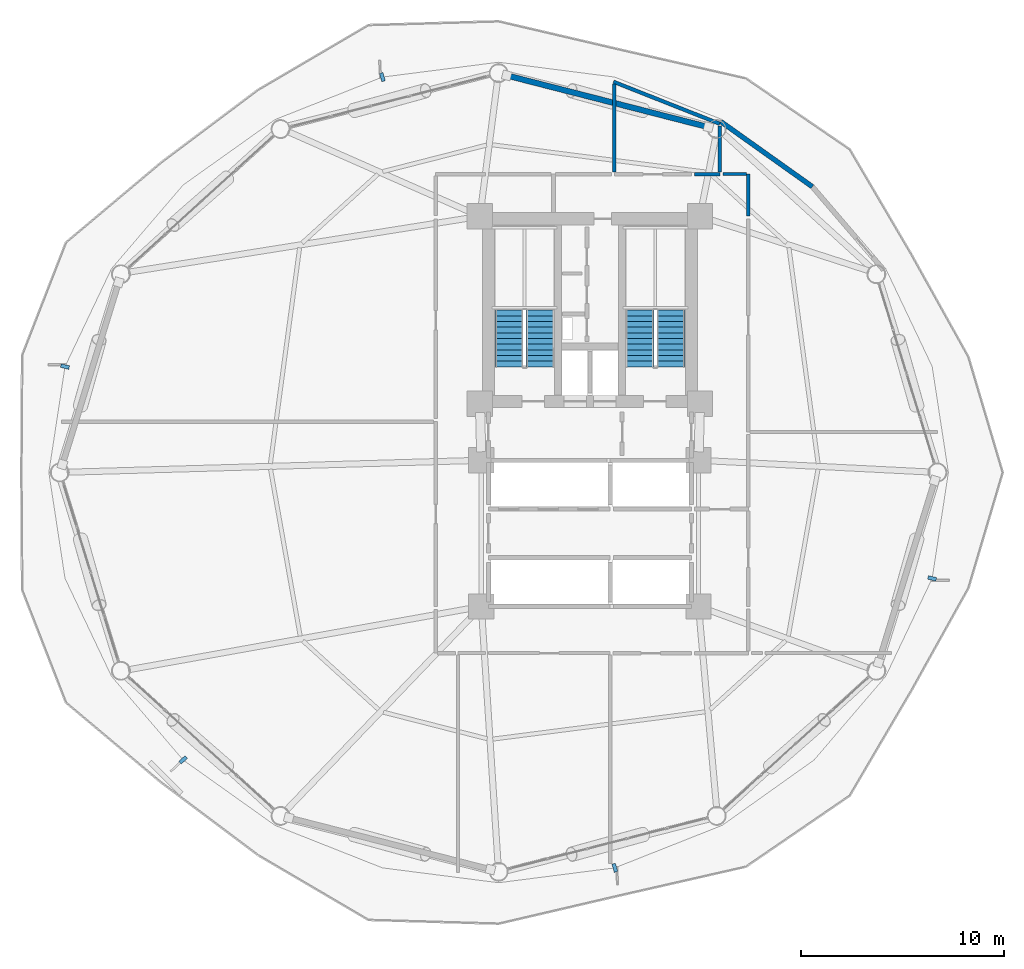
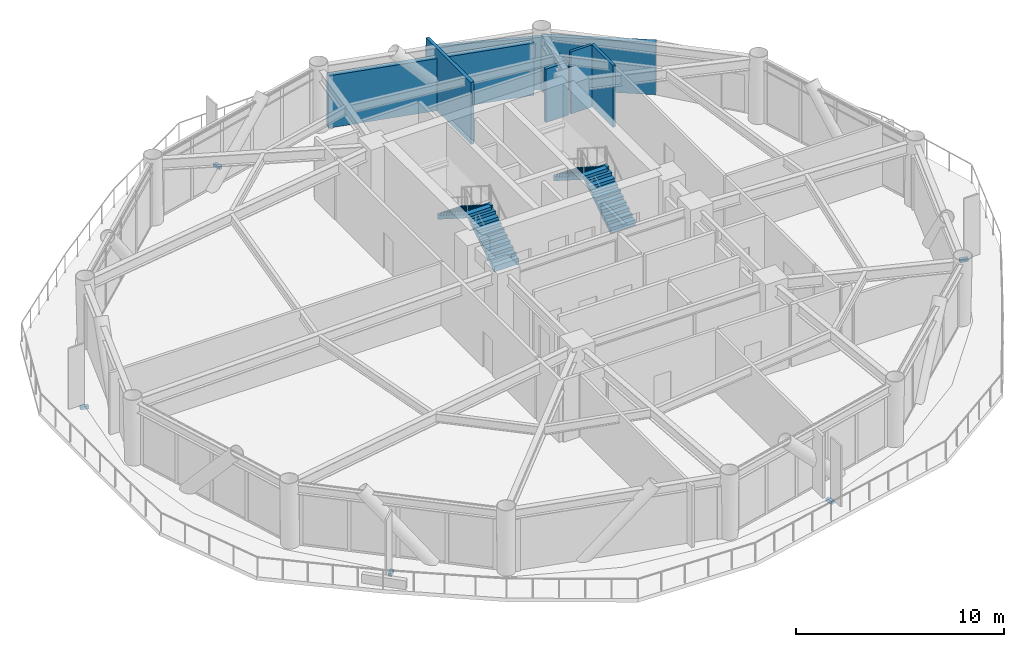
# One storey, part 19 of 22: 8 walls, 5 discrete accessories, 4 stair flights, 2 elements without a shape of their own.
"""IFC4 building model written with IfcOpenShell, lengths in metres."""

import ifcopenshell
import ifcopenshell.guid

model = None  # the IFC model being written
_history = None  # IfcOwnerHistory: only IFC2X3 demands one
_inside = {}  # id of a spatial element -> (the spatial element, [elements in it])
_under = {}  # id of a project, library or spatial element -> (it, [spatial elements below it])
_declared = {}  # id of a project -> (the project, [libraries it declares])
_typed = {}  # id of a type object -> (the type object, [elements of that type])
_made_of = {}  # id of a material, layer set ... -> (it, [elements and type objects made of it])


def new_model(schema):
    """Start an empty IFC model of exactly this schema.

    Asked for "IFC4X3", IfcOpenShell would pick the latest addendum, in which some entities
    have other attributes; the version numbers below select the first issue.
    IFC2X3 requires an IfcOwnerHistory on every rooted entity: one is made here for all.
    """
    global model, _history
    if schema == "IFC4X3":
        model = ifcopenshell.file(schema_version=(4, 3, 0, 0))
    else:
        model = ifcopenshell.file(schema=schema)
    _inside.clear()
    _under.clear()
    _declared.clear()
    _typed.clear()
    _made_of.clear()
    _history = None
    if model.schema == "IFC2X3":
        org = make("IfcOrganization", Name="unknown")
        user = make(
            "IfcPersonAndOrganization",
            ThePerson=make("IfcPerson", FamilyName="unknown"),
            TheOrganization=org,
        )
        app = make(
            "IfcApplication",
            ApplicationDeveloper=org,
            Version="unknown",
            ApplicationFullName="unknown",
            ApplicationIdentifier="unknown",
        )
        _history = make(
            "IfcOwnerHistory",
            OwningUser=user,
            OwningApplication=app,
            ChangeAction="ADDED",
            CreationDate=0,
        )
    return model


def make(cls, **values):
    """One entity of the class cls with the attributes given. An attribute that is None is left unset."""
    return model.create_entity(
        cls, **{name: value for name, value in values.items() if value is not None}
    )


def rooted(cls, **values):
    """An entity with a GlobalId (a new one), such as an element, a storey or a relation."""
    return make(cls, GlobalId=ifcopenshell.guid.new(), OwnerHistory=_history, **values)


def si_unit(unit_type, name, prefix=None):
    """IfcSIUnit, for example si_unit("LENGTHUNIT", "METRE", prefix="MILLI")."""
    return make("IfcSIUnit", UnitType=unit_type, Prefix=prefix, Name=name)


def assignment(units):
    """IfcUnitAssignment: the units of a project."""
    return None if units is None else make("IfcUnitAssignment", Units=units)


def point(xyz):
    """IfcCartesianPoint."""
    return None if xyz is None else make("IfcCartesianPoint", Coordinates=xyz)


def direction(xyz):
    """IfcDirection."""
    return None if xyz is None else make("IfcDirection", DirectionRatios=xyz)


def frame(location, z_axis=None, x_axis=None):
    """IfcAxis2Placement3D, a coordinate frame: its origin and axes. An axis left out is left unset."""
    return make(
        "IfcAxis2Placement3D",
        Location=point(location),
        Axis=direction(z_axis),
        RefDirection=direction(x_axis),
    )


def frame_2d(location, x_axis=None):
    """IfcAxis2Placement2D, a coordinate frame in the plane: its origin and x axis."""
    return make(
        "IfcAxis2Placement2D", Location=point(location), RefDirection=direction(x_axis)
    )


def origin():
    """The frame at (0, 0, 0) with its axes left unset."""
    return frame((0.0, 0.0, 0.0))


def origin_2d():
    """The frame at (0, 0) in the plane with its x axis left unset."""
    return frame_2d((0.0, 0.0))


def place(relative_to, where):
    """IfcLocalPlacement: puts the frame where relative to a parent placement (None: the world)."""
    return make(
        "IfcLocalPlacement", PlacementRelTo=relative_to, RelativePlacement=where
    )


def context(
    kind, dimensions, precision=None, world=None, true_north=None, identifier=None
):
    """IfcGeometricRepresentationContext, for example the 3D "Model" context."""
    return make(
        "IfcGeometricRepresentationContext",
        ContextIdentifier=identifier,
        ContextType=kind,
        CoordinateSpaceDimension=dimensions,
        Precision=precision,
        WorldCoordinateSystem=world,
        TrueNorth=true_north,
    )


def subcontext(parent, identifier, kind, view, scale=None):
    """IfcGeometricRepresentationSubContext, for example "Body" below "Model"."""
    return make(
        "IfcGeometricRepresentationSubContext",
        ContextIdentifier=identifier,
        ContextType=kind,
        ParentContext=parent,
        TargetScale=scale,
        TargetView=view,
    )


def project(units=None, contexts=None):
    """IfcProject with its units and contexts."""
    return rooted(
        "IfcProject",
        Name="project",
        RepresentationContexts=contexts,
        UnitsInContext=assignment(units),
    )


def spatial(cls, under=None, at=None, **own):
    """A site, building, storey or space (cls), placed at a placement, below another one or the project."""
    s = rooted(cls, ObjectPlacement=at, **own)
    if under is not None:
        _under.setdefault(under.id(), (under, []))[1].append(s)
    return s


def polyline(points):
    """IfcPolyline through the points."""
    return make("IfcPolyline", Points=[point(p) for p in points])


def profile(cls, at=None, kind="AREA", **sizes):
    """A parametric profile (cls). Its sizes go by their IFC names, for example OverallWidth=200.0."""
    return make(cls, ProfileType=kind, Position=at, **sizes)


def rectangle(**sizes):
    """IfcRectangleProfileDef."""
    return profile("IfcRectangleProfileDef", **sizes)


def outline(outer, holes=None, kind="AREA"):
    """IfcArbitraryClosedProfileDef: a profile drawn as a closed curve; with holes, ...WithVoids."""
    if holes is None:
        return make("IfcArbitraryClosedProfileDef", ProfileType=kind, OuterCurve=outer)
    return make(
        "IfcArbitraryProfileDefWithVoids",
        ProfileType=kind,
        OuterCurve=outer,
        InnerCurves=holes,
    )


def extrude(swept, where, along, depth):
    """IfcExtrudedAreaSolid: the profile swept, set in the frame where, extruded along a direction by depth."""
    return make(
        "IfcExtrudedAreaSolid",
        SweptArea=swept,
        Position=where,
        ExtrudedDirection=direction(along),
        Depth=depth,
    )


def shape(context_of_items, identifier, shape_type, items):
    """IfcShapeRepresentation: the items that make up one representation, for example the "Body"."""
    return make(
        "IfcShapeRepresentation",
        ContextOfItems=context_of_items,
        RepresentationIdentifier=identifier,
        RepresentationType=shape_type,
        Items=items,
    )


def source(mapping_origin, context_of_items, identifier, shape_type, items):
    """IfcRepresentationMap: a shape defined once, which mapped items show again and again."""
    return make(
        "IfcRepresentationMap",
        MappingOrigin=mapping_origin,
        MappedRepresentation=shape(context_of_items, identifier, shape_type, items),
    )


def transform(
    local_origin,
    x_axis=None,
    y_axis=None,
    z_axis=None,
    scale=None,
    scale2=None,
    scale3=None,
    uniform=True,
):
    """IfcCartesianTransformationOperator3D, or its non-uniform kind. x_axis, y_axis, z_axis: its Axis1, 2, 3."""
    if uniform:
        return make(
            "IfcCartesianTransformationOperator3D",
            Axis1=direction(x_axis),
            Axis2=direction(y_axis),
            LocalOrigin=point(local_origin),
            Scale=scale,
            Axis3=direction(z_axis),
        )
    return make(
        "IfcCartesianTransformationOperator3DnonUniform",
        Axis1=direction(x_axis),
        Axis2=direction(y_axis),
        LocalOrigin=point(local_origin),
        Scale=scale,
        Axis3=direction(z_axis),
        Scale2=scale2,
        Scale3=scale3,
    )


def mapped(mapping_source, mapping_target):
    """IfcMappedItem: shows the shape of a source again, moved by a transform."""
    return make(
        "IfcMappedItem", MappingSource=mapping_source, MappingTarget=mapping_target
    )


def material(Name=None, Category=None):
    """IfcMaterial."""
    return make("IfcMaterial", Name=Name, Category=Category)


def layer(
    of_material, thickness, ventilated=None, Name=None, Category=None, Priority=None
):
    """IfcMaterialLayer: one layer of a wall or slab, of a material (None: an air gap)."""
    return make(
        "IfcMaterialLayer",
        Material=of_material,
        LayerThickness=thickness,
        IsVentilated=ventilated,
        Name=Name,
        Category=Category,
        Priority=Priority,
    )


def layer_set(layers, Name=None):
    """IfcMaterialLayerSet."""
    return make("IfcMaterialLayerSet", MaterialLayers=layers, LayerSetName=Name)


def made_of(thing, what):
    """Note that an element or type object is made of a material, layer set ...; save() writes the relation."""
    if what is not None:
        _made_of.setdefault(what.id(), (what, []))[1].append(thing)
    return thing


def type_object(cls, material=None, **own):
    """A type object (cls), such as IfcWallType, which elements share."""
    return made_of(rooted(cls, **own), material)


def type_shapes(of_type, sources):
    """Give a type object the sources (RepresentationMaps) that its elements show as mapped items."""
    of_type.RepresentationMaps = sources


def element(
    cls,
    number,
    at=None,
    inside=None,
    cuts=None,
    type_object=None,
    material=None,
    context=None,
    identifier="Body",
    shape_type=None,
    held_by="IfcProductDefinitionShape",
    body=None,
    shapes=None,
    **own,
):
    """One element of the class cls, such as IfcWall. Its Tag is "e" and its number.

    at: its placement. inside: the storey or other place that contains it. cuts: it is an
    opening in that element (IfcRelVoidsElement). A single representation is given by context,
    identifier, shape_type and body (its items); several are given by shapes. held_by: the class
    of the entity that holds the representations. save() writes the other relations.
    """
    e = rooted(cls, Tag="e%d" % number, ObjectPlacement=at, **own)
    if body is not None:
        shapes = [shape(context, identifier, shape_type, body)]
    if shapes is not None:
        e.Representation = make(held_by, Representations=shapes)
    if inside is not None:
        _inside.setdefault(inside.id(), (inside, []))[1].append(e)
    if cuts is not None:
        rooted(
            "IfcRelVoidsElement", RelatingBuildingElement=cuts, RelatedOpeningElement=e
        )
    if type_object is not None:
        _typed.setdefault(type_object.id(), (type_object, []))[1].append(e)
    return made_of(e, material)


def aggregate(whole, parts):
    """IfcRelAggregates: a whole, such as a stair, and the parts it consists of."""
    return rooted("IfcRelAggregates", RelatingObject=whole, RelatedObjects=parts)


def save(model, path):
    """Write the relations noted so far, then the file.

    IfcRelAggregates (storeys below a building ...), IfcRelContainedInSpatialStructure (elements
    in a storey), IfcRelDefinesByType, IfcRelAssociatesMaterial and IfcRelDeclares: one each for
    every whole, place, type object, material and project.
    """
    for whole, parts in _under.values():
        aggregate(whole, parts)
    for where, things in _inside.values():
        rooted(
            "IfcRelContainedInSpatialStructure",
            RelatedElements=things,
            RelatingStructure=where,
        )
    for kind, things in _typed.values():
        rooted("IfcRelDefinesByType", RelatedObjects=things, RelatingType=kind)
    for what, things in _made_of.values():
        rooted("IfcRelAssociatesMaterial", RelatedObjects=things, RelatingMaterial=what)
    for by, libraries in _declared.values():
        rooted("IfcRelDeclares", RelatingContext=by, RelatedDefinitions=libraries)
    model.write(path)


model = new_model("IFC4")

# Units and contexts
model_context = context("Model", 3, precision=1e-05, world=origin(), true_north=direction((0.0, 1.0)))
body_context = subcontext(model_context, "Body", "Model", "MODEL_VIEW")
ifc_project = project(units=[si_unit("LENGTHUNIT", "METRE"), si_unit("AREAUNIT", "SQUARE_METRE"), si_unit("VOLUMEUNIT", "CUBIC_METRE"), si_unit("PLANEANGLEUNIT", "RADIAN"), si_unit("MASSUNIT", "GRAM", prefix="KILO")], contexts=[model_context])

# Site, building, storey
site_placement = place(None, origin())
site = spatial("IfcSite", under=ifc_project, at=site_placement, CompositionType="ELEMENT")
building_placement = place(site_placement, origin())
building = spatial("IfcBuilding", under=site, at=building_placement, Name="Varnakorn Sky Granary", CompositionType="ELEMENT")
storey_placement = place(building_placement, frame((0.0, 0.0, 66.60009765625)))
storey = spatial("IfcBuildingStorey", under=building, at=storey_placement, Name="L16", CompositionType="ELEMENT", Elevation=66.60009765625)

# Walls
ifc_material_1 = material(Name="Precast concrete C40/50", Category="concrete")
ifc_layer_1 = layer(ifc_material_1, 0.239990234375, Name="Precast concrete C40/50")
ifc_layer_set_1 = layer_set([ifc_layer_1], Name="Precast concrete C40/50")
wall_type_1 = type_object("IfcWallType", Name="WT-EW-BAL-260", PredefinedType="SOLIDWALL", material=ifc_layer_set_1)
wall_1_placement = place(storey_placement, frame((9.451904296875, 17.283203125, 0.0), z_axis=(0.0, 0.0, 1.0), x_axis=(0.814949298282, -0.579532260732, 0.0)))
element("IfcWall", 1, at=wall_1_placement, inside=storey, type_object=wall_type_1, Name="Balcony Return Facade Wall L16-B02B", PredefinedType="SOLIDWALL", context=body_context, shape_type="SweptSolid", body=[
    extrude(rectangle(XDim=5.527587890625, YDim=0.239990234375, at=frame_2d((2.763671875, 0.0))), origin(), (0.0, 0.0, 1.0), 3.059814453125),
])
ifc_layer_2 = layer(ifc_material_1, 0.280029296875, Name="Precast concrete C40/50")
ifc_layer_set_2 = layer_set([ifc_layer_2], Name="Precast concrete C40/50")
wall_type_2 = type_object("IfcWallType", Name="WT-EW-CRN-280", PredefinedType="SOLIDWALL", material=ifc_layer_set_2)
wall_2_placement = place(storey_placement, frame((-1.100830078125, 19.559814453125, 0.0), z_axis=(0.0, 0.0, 1.0), x_axis=(0.968705102733, -0.248214471655, 0.0)))
element("IfcWall", 2, at=wall_2_placement, inside=storey, type_object=wall_type_2, Name="Agritech Insulated Precast Facade Wall L16-P03", PredefinedType="SOLIDWALL", context=body_context, shape_type="SweptSolid", body=[
    extrude(rectangle(XDim=10.259765625, YDim=0.280029296875, at=frame_2d((5.1298828125, 0.0))), origin(), (0.0, 0.0, 1.0), 3.059814453125),
])
ifc_material_2 = material(Name="Gypsum Plasterboard on Steel Stud", Category="steel")
ifc_layer_3 = layer(ifc_material_2, 0.14990234375, Name="Gypsum Plasterboard on Steel Stud")
ifc_layer_set_3 = layer_set([ifc_layer_3], Name="Gypsum Plasterboard on Steel Stud")
wall_type_3 = type_object("IfcWallType", Name="WT-PART-150", PredefinedType="PARTITIONING", material=ifc_layer_set_3)
wall_3_placement = place(storey_placement, frame((10.800048828125, 12.635009765625, 0.0), z_axis=(0.0, 0.0, 1.0), x_axis=(0.0, 1.0, 0.0)))
element("IfcWall", 3, at=wall_3_placement, inside=storey, type_object=wall_type_3, Name="Interior Partition Wall L16-052", PredefinedType="PARTITIONING", context=body_context, shape_type="SweptSolid", body=[
    extrude(rectangle(XDim=2.06494140625, YDim=0.14990234375, at=frame_2d((1.032470703125, 0.0))), origin(), (0.0, 0.0, 1.0), 3.639892578125),
])
wall_4_placement = place(storey_placement, frame((10.715087890625, 14.699951171875, 0.0), z_axis=(0.0, 0.0, 1.0), x_axis=(-1.0, 0.0, 0.0)))
element("IfcWall", 4, at=wall_4_placement, inside=storey, type_object=wall_type_3, Name="Interior Partition Wall L16-053", PredefinedType="PARTITIONING", context=body_context, shape_type="SweptSolid", body=[
    extrude(rectangle(XDim=1.1650390625, YDim=0.14990234375, at=frame_2d((0.58251953125, 0.0))), origin(), (0.0, 0.0, 1.0), 3.639892578125),
])
ifc_material_3 = material(Name="Moisture-Resistant Gypsum on Stud", Category="gypsum")
ifc_layer_4 = layer(ifc_material_3, 0.179931640625, Name="Moisture-Resistant Gypsum on Stud")
ifc_layer_set_4 = layer_set([ifc_layer_4], Name="Moisture-Resistant Gypsum on Stud")
wall_type_4 = type_object("IfcWallType", Name="WT-PLUMB-180", PredefinedType="PLUMBINGWALL", material=ifc_layer_set_4)
wall_5_placement = place(storey_placement, frame((9.39990234375, 14.699951171875, 0.0), z_axis=(0.0, 0.0, 1.0), x_axis=(-1.0, 0.0, 0.0)))
element("IfcWall", 5, at=wall_5_placement, inside=storey, type_object=wall_type_4, Name="Interior Partition Wall L16-033", PredefinedType="PLUMBINGWALL", context=body_context, shape_type="SweptSolid", body=[
    extrude(rectangle(XDim=1.25, YDim=0.179931640625, at=frame_2d((0.625, 0.0))), origin(), (0.0, 0.0, 1.0), 3.121826171875),
])
wall_6_placement = place(storey_placement, frame((4.160888671875, 19.248046875, 0.0), z_axis=(0.0, 0.0, 1.0), x_axis=(0.929903425882, -0.367803777213, 0.0)))
element("IfcWall", 6, at=wall_6_placement, inside=storey, type_object=wall_type_4, Name="Interior Partition Wall L16-047", PredefinedType="PLUMBINGWALL", context=body_context, shape_type="SweptSolid", body=[
    extrude(rectangle(XDim=5.62548828125, YDim=0.179931640625, at=frame_2d((2.812744140625, 0.0))), origin(), (0.0, 0.0, 1.0), 3.072021484375),
])
wall_7_placement = place(storey_placement, frame((4.199951171875, 19.133056640625, 0.0), z_axis=(0.0, 0.0, 1.0), x_axis=(0.0, -1.0, 0.0)))
element("IfcWall", 7, at=wall_7_placement, inside=storey, type_object=wall_type_4, Name="Interior Partition Wall L16-048", PredefinedType="PLUMBINGWALL", context=body_context, shape_type="SweptSolid", body=[
    extrude(rectangle(XDim=4.3330078125, YDim=0.179931640625, at=frame_2d((2.16650390625, 0.0))), origin(), (0.0, 0.0, 1.0), 3.639892578125),
])
wall_8_placement = place(storey_placement, frame((9.39990234375, 14.800048828125, 0.0), z_axis=(0.0, 0.0, 1.0), x_axis=(0.0, 1.0, 0.0)))
element("IfcWall", 8, at=wall_8_placement, inside=storey, type_object=wall_type_4, Name="Interior Partition Wall L16-054", PredefinedType="PLUMBINGWALL", context=body_context, shape_type="SweptSolid", body=[
    extrude(rectangle(XDim=2.27392578125, YDim=0.179931640625, at=frame_2d((1.136962890625, 0.0))), origin(), (0.0, 0.0, 1.0), 2.971923828125),
])

# Stair, stair flights
ifc_material_4 = material(Name="Concrete C40/50", Category="concrete")
stair_type = type_object("IfcStairType", Name="ST-MAIN-ASSEMBLY", PredefinedType="HALF_TURN_STAIR", material=ifc_material_4)
stair_1_placement = place(storey_placement, origin())
stair_1 = element("IfcStair", 9, at=stair_1_placement, inside=storey, type_object=stair_type, Name="L16 Protected Exit Stair ST-1", PredefinedType="HALF_TURN_STAIR")
stair_flight_type = type_object("IfcStairFlightType", Name="ST-MAIN-FLIGHT", PredefinedType="STRAIGHT", material=ifc_material_4)
stair_flight_1_placement = place(storey_placement, frame((0.550048828125, 5.199951171875, 0.0), z_axis=(0.0, 0.0, 1.0), x_axis=(0.0, 1.0, 0.0)))
stair_flight_1 = element("IfcStairFlight", 10, at=stair_flight_1_placement, type_object=stair_flight_type, Name="ST-1 flight 1", NumberOfRisers=11, NumberOfTreads=10, PredefinedType="STRAIGHT", RiserHeight=0.177272727, TreadLength=0.28, context=body_context, shape_type="SweptSolid", body=[
    extrude(outline(polyline([(0.0, -0.14990234375), (0.0, 0.0), (0.0, 0.17724609375), (0.280029296875, 0.17724609375), (0.280029296875, 0.3544921875), (0.56005859375, 0.3544921875), (0.56005859375, 0.53173828125), (0.840087890625, 0.53173828125), (0.840087890625, 0.708984375), (1.1201171875, 0.708984375), (1.1201171875, 0.886474609375), (1.39990234375, 0.886474609375), (1.39990234375, 1.063720703125), (1.679931640625, 1.063720703125), (1.679931640625, 1.240966796875), (1.9599609375, 1.240966796875), (1.9599609375, 1.418212890625), (2.239990234375, 1.418212890625), (2.239990234375, 1.595458984375), (2.52001953125, 1.595458984375), (2.52001953125, 1.772705078125), (2.800048828125, 1.772705078125), (2.800048828125, 1.949951171875), (2.800048828125, 1.59521484375), (0.050048828125, -0.14990234375), (0.0, -0.14990234375)])), frame((0.0, 0.68994140625, 0.0), z_axis=(0.0, -1.0, 0.0), x_axis=(1.0, 0.0, 0.0)), (0.0, 0.0, 1.0), 1.3798828125),
])
stair_flight_2_placement = place(storey_placement, frame((-0.97998046875, 8.0, 1.949951171875), z_axis=(0.0, 0.0, 1.0), x_axis=(0.0, -1.0, 0.0)))
stair_flight_2 = element("IfcStairFlight", 11, at=stair_flight_2_placement, type_object=stair_flight_type, Name="ST-1 flight 2", NumberOfRisers=11, NumberOfTreads=10, PredefinedType="STRAIGHT", RiserHeight=0.177272727, TreadLength=0.28, context=body_context, shape_type="SweptSolid", body=[
    extrude(outline(polyline([(0.0, -0.14990234375), (0.0, 0.0), (0.0, 0.17724609375), (0.280029296875, 0.17724609375), (0.280029296875, 0.3544921875), (0.56005859375, 0.3544921875), (0.56005859375, 0.53173828125), (0.840087890625, 0.53173828125), (0.840087890625, 0.708984375), (1.1201171875, 0.708984375), (1.1201171875, 0.886474609375), (1.39990234375, 0.886474609375), (1.39990234375, 1.063720703125), (1.679931640625, 1.063720703125), (1.679931640625, 1.240966796875), (1.9599609375, 1.240966796875), (1.9599609375, 1.418212890625), (2.239990234375, 1.418212890625), (2.239990234375, 1.595458984375), (2.52001953125, 1.595458984375), (2.52001953125, 1.772705078125), (2.800048828125, 1.772705078125), (2.800048828125, 1.949951171875), (2.800048828125, 1.59521484375), (0.050048828125, -0.14990234375), (0.0, -0.14990234375)])), frame((0.0, 0.68994140625, 0.0), z_axis=(0.0, -1.0, 0.0), x_axis=(1.0, 0.0, 0.0)), (0.0, 0.0, 1.0), 1.3798828125),
])
aggregate(stair_1, [stair_flight_1, stair_flight_2])

stair_2_placement = place(storey_placement, origin())
stair_2 = element("IfcStair", 12, at=stair_2_placement, inside=storey, type_object=stair_type, Name="L16 Protected Exit Stair ST-2", PredefinedType="HALF_TURN_STAIR")
stair_flight_3_placement = place(storey_placement, frame((6.989990234375, 5.199951171875, 0.0), z_axis=(0.0, 0.0, 1.0), x_axis=(0.0, 1.0, 0.0)))
stair_flight_3 = element("IfcStairFlight", 13, at=stair_flight_3_placement, type_object=stair_flight_type, Name="ST-2 flight 1", NumberOfRisers=11, NumberOfTreads=10, PredefinedType="STRAIGHT", RiserHeight=0.177272727, TreadLength=0.28, context=body_context, shape_type="SweptSolid", body=[
    extrude(outline(polyline([(0.0, -0.14990234375), (0.0, 0.0), (0.0, 0.17724609375), (0.280029296875, 0.17724609375), (0.280029296875, 0.3544921875), (0.56005859375, 0.3544921875), (0.56005859375, 0.53173828125), (0.840087890625, 0.53173828125), (0.840087890625, 0.708984375), (1.1201171875, 0.708984375), (1.1201171875, 0.886474609375), (1.39990234375, 0.886474609375), (1.39990234375, 1.063720703125), (1.679931640625, 1.063720703125), (1.679931640625, 1.240966796875), (1.9599609375, 1.240966796875), (1.9599609375, 1.418212890625), (2.239990234375, 1.418212890625), (2.239990234375, 1.595458984375), (2.52001953125, 1.595458984375), (2.52001953125, 1.772705078125), (2.800048828125, 1.772705078125), (2.800048828125, 1.949951171875), (2.800048828125, 1.59521484375), (0.050048828125, -0.14990234375), (0.0, -0.14990234375)])), frame((0.0, 0.68994140625, 0.0), z_axis=(0.0, -1.0, 0.0), x_axis=(1.0, 0.0, 0.0)), (0.0, 0.0, 1.0), 1.3798828125),
])
stair_flight_4_placement = place(storey_placement, frame((5.4599609375, 8.0, 1.949951171875), z_axis=(0.0, 0.0, 1.0), x_axis=(0.0, -1.0, 0.0)))
stair_flight_4 = element("IfcStairFlight", 14, at=stair_flight_4_placement, type_object=stair_flight_type, Name="ST-2 flight 2", NumberOfRisers=11, NumberOfTreads=10, PredefinedType="STRAIGHT", RiserHeight=0.177272727, TreadLength=0.28, context=body_context, shape_type="SweptSolid", body=[
    extrude(outline(polyline([(0.0, -0.14990234375), (0.0, 0.0), (0.0, 0.17724609375), (0.280029296875, 0.17724609375), (0.280029296875, 0.3544921875), (0.56005859375, 0.3544921875), (0.56005859375, 0.53173828125), (0.840087890625, 0.53173828125), (0.840087890625, 0.708984375), (1.1201171875, 0.708984375), (1.1201171875, 0.886474609375), (1.39990234375, 0.886474609375), (1.39990234375, 1.063720703125), (1.679931640625, 1.063720703125), (1.679931640625, 1.240966796875), (1.9599609375, 1.240966796875), (1.9599609375, 1.418212890625), (2.239990234375, 1.418212890625), (2.239990234375, 1.595458984375), (2.52001953125, 1.595458984375), (2.52001953125, 1.772705078125), (2.800048828125, 1.772705078125), (2.800048828125, 1.949951171875), (2.800048828125, 1.59521484375), (0.050048828125, -0.14990234375), (0.0, -0.14990234375)])), frame((0.0, 0.68994140625, 0.0), z_axis=(0.0, -1.0, 0.0), x_axis=(1.0, 0.0, 0.0)), (0.0, 0.0, 1.0), 1.3798828125),
])
aggregate(stair_2, [stair_flight_3, stair_flight_4])

# Discrete accessories
ifc_material_5 = material(Name="Steel S355JR", Category="steel")
discrete_accessory_type = type_object("IfcDiscreteAccessoryType", Name="AC-BRK-01", PredefinedType="BRACKET", material=ifc_material_5)
shared_shape = source(origin(), body_context, "Body", "SweptSolid", [
    extrude(rectangle(XDim=0.179931640625, YDim=0.419921875, at=origin_2d()), origin(), (0.0, 0.0, 1.0), 0.179931640625),
])
type_shapes(discrete_accessory_type, [shared_shape])
for number, where, z_axis, x_axis, name in (
    (15, (-7.226318359375, 19.47900390625, -0.2001953125), (0.0, 0.0, 1.0), (-0.959402573846, -0.282040247657, 0.0), "Facade Solar-Screen Outrigger Bracket L16-04"),
    (16, (-22.861083984375, 5.217041015625, -0.2001953125), (0.0, 0.0, 1.0), (-0.237253547389, -0.971447761978, 0.0), "Facade Solar-Screen Outrigger Bracket L16-06"),
    (17, (-17.04541015625, -14.16064453125, -0.2001953125), (0.0, 0.0, 1.0), (0.673417340667, -0.739262527989, 0.0), "Facade Solar-Screen Outrigger Bracket L16-08"),
    (18, (4.226318359375, -19.47900390625, -0.2001953125), (0.0, 0.0, 1.0), (0.959402573846, 0.282040247657, 0.0), "Facade Solar-Screen Outrigger Bracket L16-10"),
    (19, (19.861083984375, -5.217041015625, -0.2001953125), (0.0, 0.0, 1.0), (0.237253547389, 0.971447761978, 0.0), "Facade Solar-Screen Outrigger Bracket L16-12"),
):
    element("IfcDiscreteAccessory", number, at=place(storey_placement, frame(where, z_axis=z_axis, x_axis=x_axis)), inside=storey, type_object=discrete_accessory_type, Name=name, PredefinedType="BRACKET", context=body_context, shape_type="MappedRepresentation", body=[
        mapped(shared_shape, transform((0.0, 0.0, 0.0), x_axis=(1.0, 0.0, 0.0), y_axis=(0.0, 1.0, 0.0), z_axis=(0.0, 0.0, 1.0), scale=1.0)),
    ])

save(model, "model.ifc")
